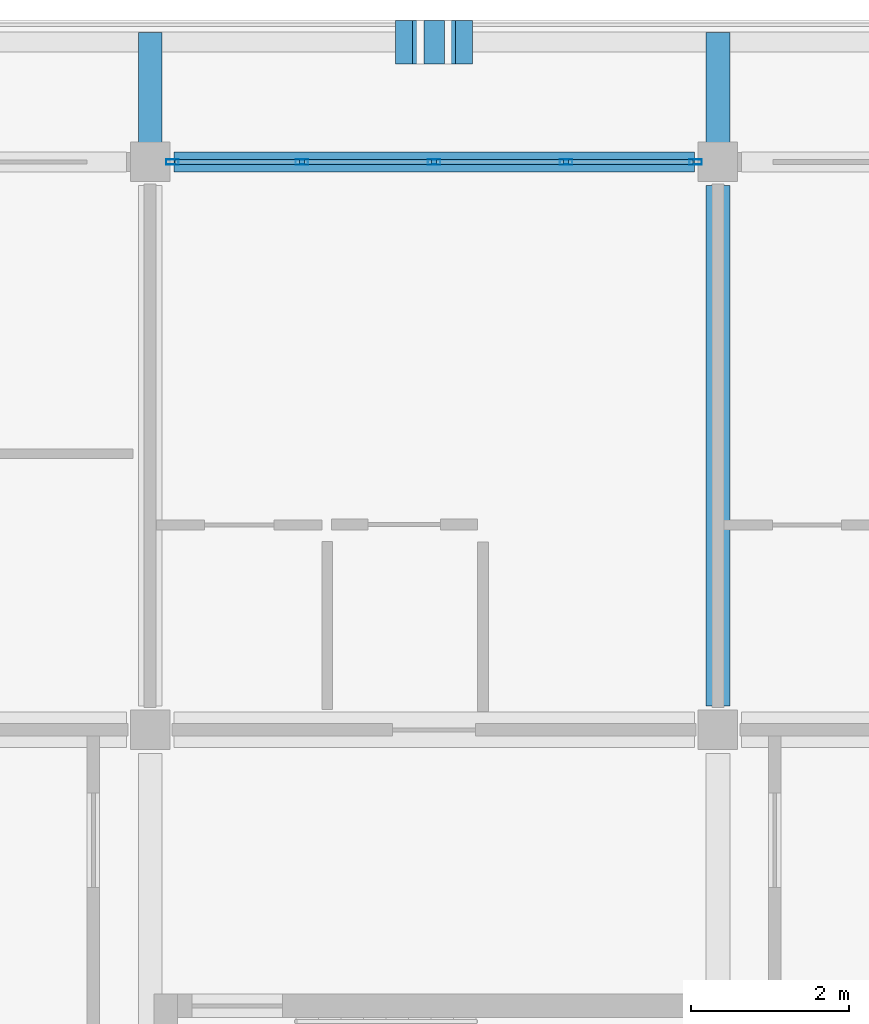
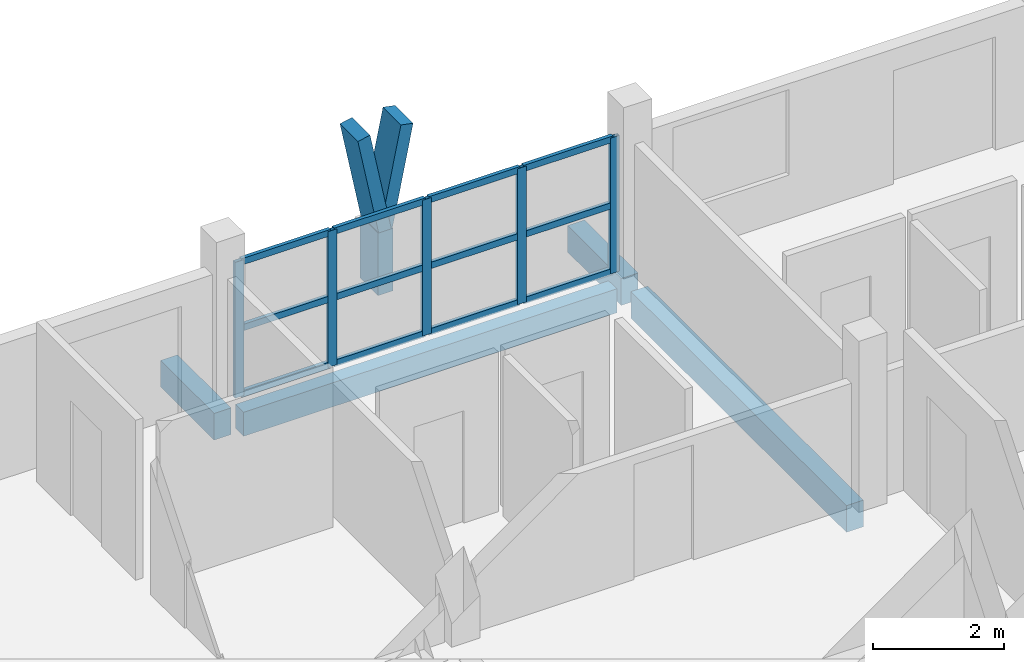
# One storey, part 11 of 45: 20 members, 4 beams, 1 element without a shape of its own.
"""IFC4 building model written with IfcOpenShell, lengths in metres."""

from ifc_helpers import new_model, si_unit, direction, frame, origin, origin_2d, place, context, subcontext, project, spatial, rectangle, hollow_rectangle, extrude, material, material_profile, profile_set, type_object, element, aggregate, save


model = new_model("IFC4")

# Units and contexts
model_context = context("Model", 3, precision=1e-05, world=origin(), true_north=direction((0.0, 1.0)))
body_context = subcontext(model_context, "Body", "Model", "MODEL_VIEW")
ifc_project = project(units=[si_unit("LENGTHUNIT", "METRE"), si_unit("AREAUNIT", "SQUARE_METRE"), si_unit("VOLUMEUNIT", "CUBIC_METRE"), si_unit("PLANEANGLEUNIT", "RADIAN"), si_unit("MASSUNIT", "GRAM", prefix="KILO")], contexts=[model_context])

# Site, building, storey
site_placement = place(None, origin())
site = spatial("IfcSite", under=ifc_project, at=site_placement, CompositionType="ELEMENT")
building_placement = place(site_placement, origin())
building = spatial("IfcBuilding", under=site, at=building_placement, Name="Suanplinth Sawtooth Commons", CompositionType="ELEMENT")
storey_placement = place(building_placement, frame((0.0, 0.0, 38.0)))
storey = spatial("IfcBuildingStorey", under=building, at=storey_placement, Name="L11", CompositionType="ELEMENT", Elevation=38.0)

# Beams
ifc_material_1 = material(Name="Precast concrete C40/50", Category="concrete")
ifc_material_profile_1 = material_profile(ifc_material_1, rectangle(XDim=0.300048828125, YDim=0.5, at=origin_2d()), Name="PC-BM 300x500")
ifc_profile_set_1 = profile_set([ifc_material_profile_1], Name="Precast concrete C40/50")
beam_type_1 = type_object("IfcBeamType", Name="B-07", PredefinedType="BEAM", material=ifc_profile_set_1)
beam_1_placement = place(storey_placement, frame((64.800048828125, 115.5, -0.489990234375), z_axis=(0.0, 1.0, 0.0), x_axis=(-1.0, 0.0, 0.0)))
element("IfcBeam", 1, at=beam_1_placement, inside=storey, type_object=beam_type_1, Name="BMY-L11-A-9-16", PredefinedType="BEAM", context=body_context, shape_type="SweptSolid", body=[
    extrude(rectangle(XDim=0.300048828125, YDim=0.5, at=origin_2d()), origin(), (0.0, 0.0, 1.0), 6.60009765625),
])
for number, where, z_axis, x_axis, name in (
    (2, (57.60009765625, 122.39990234375, -0.429931640625), (0.0, 1.0, 0.0), (-1.0, 0.0, 0.0), "Balcony Outrigger L11-A-N-8"),
    (3, (64.800048828125, 122.39990234375, -0.429931640625), (0.0, 1.0, 0.0), (-1.0, 0.0, 0.0), "Balcony Outrigger L11-A-N-9"),
):
    element("IfcBeam", number, at=place(storey_placement, frame(where, z_axis=z_axis, x_axis=x_axis)), inside=storey, type_object=beam_type_1, Name=name, PredefinedType="BEAM", context=body_context, shape_type="SweptSolid", body=[
        extrude(rectangle(XDim=0.300048828125, YDim=0.5, at=origin_2d()), origin(), (0.0, 0.0, 1.0), 1.64013671875),
    ])
ifc_material_profile_2 = material_profile(ifc_material_1, rectangle(XDim=0.25, YDim=0.449951171875, at=origin_2d()), Name="PC-SP 250x450")
ifc_profile_set_2 = profile_set([ifc_material_profile_2], Name="Precast concrete C40/50")
beam_type_2 = type_object("IfcBeamType", Name="B-09", PredefinedType="SPANDREL", material=ifc_profile_set_2)
beam_2_placement = place(storey_placement, frame((57.89990234375, 122.39990234375, -0.465087890625), z_axis=(1.0, 0.0, 0.0), x_axis=(0.0, 1.0, 0.0)))
element("IfcBeam", 4, at=beam_2_placement, inside=storey, type_object=beam_type_2, Name="BMX-L11-A-8-17", PredefinedType="SPANDREL", context=body_context, shape_type="SweptSolid", body=[
    extrude(rectangle(XDim=0.25, YDim=0.449951171875, at=origin_2d()), origin(), (0.0, 0.0, 1.0), 6.60009765625),
])

# Members
ifc_material_2 = material(Name="Pigmented precast concrete C40/50", Category="concrete")
ifc_material_profile_3 = material_profile(ifc_material_2, rectangle(XDim=0.260009765625, YDim=0.550048828125, at=origin_2d()), Name="PC-FIN 260x550")
ifc_profile_set_3 = profile_set([ifc_material_profile_3], Name="Pigmented precast concrete C40/50")
member_type_1 = type_object("IfcMemberType", Name="M-09", PredefinedType="USERDEFINED", material=ifc_profile_set_3)
member_1_placement = place(storey_placement, frame((61.199951171875, 123.919921875, 0.0), z_axis=(0.0, 0.0, 1.0), x_axis=(1.0, 0.0, 0.0)))
element("IfcMember", 5, at=member_1_placement, inside=storey, type_object=member_type_1, Name="Y-Blade Stem L11-A-N-03", ObjectType="SHADING FIN", PredefinedType="USERDEFINED", context=body_context, shape_type="SweptSolid", body=[
    extrude(rectangle(XDim=0.260009765625, YDim=0.550048828125, at=origin_2d()), origin(), (0.0, 0.0, 1.0), 1.169921875),
])
ifc_material_profile_4 = material_profile(ifc_material_2, rectangle(XDim=0.219970703125, YDim=0.550048828125, at=origin_2d()), Name="PC-FIN 220x550")
ifc_profile_set_4 = profile_set([ifc_material_profile_4], Name="Pigmented precast concrete C40/50")
member_type_2 = type_object("IfcMemberType", Name="M-10", PredefinedType="USERDEFINED", material=ifc_profile_set_4)
member_2_placement = place(storey_placement, frame((61.199951171875, 123.919921875, 1.1298828125), z_axis=(-0.196285728346, 0.0, 0.980546741796), x_axis=(0.980546741796, 0.0, 0.196285728346)))
element("IfcMember", 6, at=member_2_placement, inside=storey, type_object=member_type_2, Name="Y-Blade Arm L L11-A-N-03", ObjectType="SHADING FIN", PredefinedType="USERDEFINED", context=body_context, shape_type="SweptSolid", body=[
    extrude(rectangle(XDim=0.219970703125, YDim=0.550048828125, at=origin_2d()), origin(), (0.0, 0.0, 1.0), 1.937744140625),
])
member_3_placement = place(storey_placement, frame((61.199951171875, 123.919921875, 1.1298828125), z_axis=(0.196406855569, 0.0, 0.980522486782), x_axis=(-0.980522486782, 0.0, 0.196406855569)))
element("IfcMember", 7, at=member_3_placement, inside=storey, type_object=member_type_2, Name="Y-Blade Arm R L11-A-N-03", ObjectType="SHADING FIN", PredefinedType="USERDEFINED", context=body_context, shape_type="SweptSolid", body=[
    extrude(rectangle(XDim=0.219970703125, YDim=0.550048828125, at=origin_2d()), origin(), (0.0, 0.0, 1.0), 1.93798828125),
])

# Curtain wall, members
ifc_material_3 = material(Name="Anodized aluminium and low-E glazing", Category="aluminium")
curtain_wall_type = type_object("IfcCurtainWallType", Name="CW-06", PredefinedType="USERDEFINED", material=ifc_material_3)
curtain_wall_placement = place(storey_placement, origin())
curtain_wall = element("IfcCurtainWall", 8, at=curtain_wall_placement, inside=storey, type_object=curtain_wall_type, Name="Curtain Wall CW-L11-A-LOUNGE-5", ObjectType="CURTAIN WALL", PredefinedType="USERDEFINED")
ifc_material_4 = material(Name="Anodized aluminium 6063-T6", Category="aluminium")
ifc_material_profile_5 = material_profile(ifc_material_4, hollow_rectangle(XDim=0.06494140625, YDim=0.159912109375, WallThickness=0.00390625, at=origin_2d()), Name="ALU-MUL 65x160")
ifc_profile_set_5 = profile_set([ifc_material_profile_5], Name="Anodized aluminium 6063-T6")
member_type_3 = type_object("IfcMemberType", Name="M-13", PredefinedType="MULLION", material=ifc_profile_set_5)
member_4_placement = place(storey_placement, frame((57.882568359375, 122.39990234375, 0.0), z_axis=(0.0, 0.0, 1.0), x_axis=(0.0, 1.0, 0.0)))
member_4 = element("IfcMember", 9, at=member_4_placement, type_object=member_type_3, Name="CW-06 mullion 1", PredefinedType="MULLION", context=body_context, shape_type="SweptSolid", body=[
    extrude(hollow_rectangle(XDim=0.06494140625, YDim=0.159912109375, WallThickness=0.00390625, at=origin_2d()), origin(), (0.0, 0.0, 1.0), 2.5400390625),
])
member_5_placement = place(storey_placement, frame((59.52490234375, 122.39990234375, 0.0), z_axis=(0.0, 0.0, 1.0), x_axis=(0.0, 1.0, 0.0)))
member_5 = element("IfcMember", 10, at=member_5_placement, type_object=member_type_3, Name="CW-06 mullion 2", PredefinedType="MULLION", context=body_context, shape_type="SweptSolid", body=[
    extrude(hollow_rectangle(XDim=0.06494140625, YDim=0.159912109375, WallThickness=0.00390625, at=origin_2d()), origin(), (0.0, 0.0, 1.0), 2.5400390625),
])
member_6_placement = place(storey_placement, frame((61.199951171875, 122.39990234375, 0.0), z_axis=(0.0, 0.0, 1.0), x_axis=(0.0, 1.0, 0.0)))
member_6 = element("IfcMember", 11, at=member_6_placement, type_object=member_type_3, Name="CW-06 mullion 3", PredefinedType="MULLION", context=body_context, shape_type="SweptSolid", body=[
    extrude(hollow_rectangle(XDim=0.06494140625, YDim=0.159912109375, WallThickness=0.00390625, at=origin_2d()), origin(), (0.0, 0.0, 1.0), 2.5400390625),
])
member_7_placement = place(storey_placement, frame((62.875, 122.39990234375, 0.0), z_axis=(0.0, 0.0, 1.0), x_axis=(0.0, 1.0, 0.0)))
member_7 = element("IfcMember", 12, at=member_7_placement, type_object=member_type_3, Name="CW-06 mullion 4", PredefinedType="MULLION", context=body_context, shape_type="SweptSolid", body=[
    extrude(hollow_rectangle(XDim=0.06494140625, YDim=0.159912109375, WallThickness=0.00390625, at=origin_2d()), origin(), (0.0, 0.0, 1.0), 2.5400390625),
])
member_8_placement = place(storey_placement, frame((64.517578125, 122.39990234375, 0.0), z_axis=(0.0, 0.0, 1.0), x_axis=(0.0, 1.0, 0.0)))
member_8 = element("IfcMember", 13, at=member_8_placement, type_object=member_type_3, Name="CW-06 mullion 5", PredefinedType="MULLION", context=body_context, shape_type="SweptSolid", body=[
    extrude(hollow_rectangle(XDim=0.06494140625, YDim=0.159912109375, WallThickness=0.00390625, at=origin_2d()), origin(), (0.0, 0.0, 1.0), 2.5400390625),
])
ifc_material_profile_6 = material_profile(ifc_material_4, hollow_rectangle(XDim=0.06494140625, YDim=0.1201171875, WallThickness=0.00390625, at=origin_2d()), Name="ALU-TRN 65x120")
ifc_profile_set_6 = profile_set([ifc_material_profile_6], Name="Anodized aluminium 6063-T6")
member_type_4 = type_object("IfcMemberType", Name="M-15", PredefinedType="USERDEFINED", material=ifc_profile_set_6)
member_9_placement = place(storey_placement, frame((57.9150390625, 122.39990234375, 0.032470703125), z_axis=(1.0, 0.0, 0.0), x_axis=(0.0, 1.0, 0.0)))
member_9 = element("IfcMember", 14, at=member_9_placement, type_object=member_type_4, Name="CW-06 transom 1.1", ObjectType="TRANSOM", PredefinedType="USERDEFINED", context=body_context, shape_type="SweptSolid", body=[
    extrude(hollow_rectangle(XDim=0.06494140625, YDim=0.1201171875, WallThickness=0.00390625, at=origin_2d()), origin(), (0.0, 0.0, 1.0), 1.577392578125),
])
member_10_placement = place(storey_placement, frame((57.9150390625, 122.39990234375, 1.27001953125), z_axis=(1.0, 0.0, 0.0), x_axis=(0.0, 1.0, 0.0)))
member_10 = element("IfcMember", 15, at=member_10_placement, type_object=member_type_4, Name="CW-06 transom 1.2", ObjectType="TRANSOM", PredefinedType="USERDEFINED", context=body_context, shape_type="SweptSolid", body=[
    extrude(hollow_rectangle(XDim=0.06494140625, YDim=0.1201171875, WallThickness=0.00390625, at=origin_2d()), origin(), (0.0, 0.0, 1.0), 1.577392578125),
])
member_11_placement = place(storey_placement, frame((57.9150390625, 122.39990234375, 2.507568359375), z_axis=(1.0, 0.0, 0.0), x_axis=(0.0, 1.0, 0.0)))
member_11 = element("IfcMember", 16, at=member_11_placement, type_object=member_type_4, Name="CW-06 transom 1.3", ObjectType="TRANSOM", PredefinedType="USERDEFINED", context=body_context, shape_type="SweptSolid", body=[
    extrude(hollow_rectangle(XDim=0.06494140625, YDim=0.1201171875, WallThickness=0.00390625, at=origin_2d()), origin(), (0.0, 0.0, 1.0), 1.577392578125),
])
member_12_placement = place(storey_placement, frame((59.5576171875, 122.39990234375, 0.032470703125), z_axis=(1.0, 0.0, 0.0), x_axis=(0.0, 1.0, 0.0)))
member_12 = element("IfcMember", 17, at=member_12_placement, type_object=member_type_4, Name="CW-06 transom 2.1", ObjectType="TRANSOM", PredefinedType="USERDEFINED", context=body_context, shape_type="SweptSolid", body=[
    extrude(hollow_rectangle(XDim=0.06494140625, YDim=0.1201171875, WallThickness=0.00390625, at=origin_2d()), origin(), (0.0, 0.0, 1.0), 1.60986328125),
])
member_13_placement = place(storey_placement, frame((59.5576171875, 122.39990234375, 1.27001953125), z_axis=(1.0, 0.0, 0.0), x_axis=(0.0, 1.0, 0.0)))
member_13 = element("IfcMember", 18, at=member_13_placement, type_object=member_type_4, Name="CW-06 transom 2.2", ObjectType="TRANSOM", PredefinedType="USERDEFINED", context=body_context, shape_type="SweptSolid", body=[
    extrude(hollow_rectangle(XDim=0.06494140625, YDim=0.1201171875, WallThickness=0.00390625, at=origin_2d()), origin(), (0.0, 0.0, 1.0), 1.60986328125),
])
member_14_placement = place(storey_placement, frame((59.5576171875, 122.39990234375, 2.507568359375), z_axis=(1.0, 0.0, 0.0), x_axis=(0.0, 1.0, 0.0)))
member_14 = element("IfcMember", 19, at=member_14_placement, type_object=member_type_4, Name="CW-06 transom 2.3", ObjectType="TRANSOM", PredefinedType="USERDEFINED", context=body_context, shape_type="SweptSolid", body=[
    extrude(hollow_rectangle(XDim=0.06494140625, YDim=0.1201171875, WallThickness=0.00390625, at=origin_2d()), origin(), (0.0, 0.0, 1.0), 1.60986328125),
])
member_15_placement = place(storey_placement, frame((61.232421875, 122.39990234375, 0.032470703125), z_axis=(1.0, 0.0, 0.0), x_axis=(0.0, 1.0, 0.0)))
member_15 = element("IfcMember", 20, at=member_15_placement, type_object=member_type_4, Name="CW-06 transom 3.1", ObjectType="TRANSOM", PredefinedType="USERDEFINED", context=body_context, shape_type="SweptSolid", body=[
    extrude(hollow_rectangle(XDim=0.06494140625, YDim=0.1201171875, WallThickness=0.00390625, at=origin_2d()), origin(), (0.0, 0.0, 1.0), 1.610107421875),
])
member_16_placement = place(storey_placement, frame((61.232421875, 122.39990234375, 1.27001953125), z_axis=(1.0, 0.0, 0.0), x_axis=(0.0, 1.0, 0.0)))
member_16 = element("IfcMember", 21, at=member_16_placement, type_object=member_type_4, Name="CW-06 transom 3.2", ObjectType="TRANSOM", PredefinedType="USERDEFINED", context=body_context, shape_type="SweptSolid", body=[
    extrude(hollow_rectangle(XDim=0.06494140625, YDim=0.1201171875, WallThickness=0.00390625, at=origin_2d()), origin(), (0.0, 0.0, 1.0), 1.610107421875),
])
member_17_placement = place(storey_placement, frame((61.232421875, 122.39990234375, 2.507568359375), z_axis=(1.0, 0.0, 0.0), x_axis=(0.0, 1.0, 0.0)))
member_17 = element("IfcMember", 22, at=member_17_placement, type_object=member_type_4, Name="CW-06 transom 3.3", ObjectType="TRANSOM", PredefinedType="USERDEFINED", context=body_context, shape_type="SweptSolid", body=[
    extrude(hollow_rectangle(XDim=0.06494140625, YDim=0.1201171875, WallThickness=0.00390625, at=origin_2d()), origin(), (0.0, 0.0, 1.0), 1.610107421875),
])
member_18_placement = place(storey_placement, frame((62.907470703125, 122.39990234375, 0.032470703125), z_axis=(1.0, 0.0, 0.0), x_axis=(0.0, 1.0, 0.0)))
member_18 = element("IfcMember", 23, at=member_18_placement, type_object=member_type_4, Name="CW-06 transom 4.1", ObjectType="TRANSOM", PredefinedType="USERDEFINED", context=body_context, shape_type="SweptSolid", body=[
    extrude(hollow_rectangle(XDim=0.06494140625, YDim=0.1201171875, WallThickness=0.00390625, at=origin_2d()), origin(), (0.0, 0.0, 1.0), 1.57763671875),
])
member_19_placement = place(storey_placement, frame((62.907470703125, 122.39990234375, 1.27001953125), z_axis=(1.0, 0.0, 0.0), x_axis=(0.0, 1.0, 0.0)))
member_19 = element("IfcMember", 24, at=member_19_placement, type_object=member_type_4, Name="CW-06 transom 4.2", ObjectType="TRANSOM", PredefinedType="USERDEFINED", context=body_context, shape_type="SweptSolid", body=[
    extrude(hollow_rectangle(XDim=0.06494140625, YDim=0.1201171875, WallThickness=0.00390625, at=origin_2d()), origin(), (0.0, 0.0, 1.0), 1.57763671875),
])
member_20_placement = place(storey_placement, frame((62.907470703125, 122.39990234375, 2.507568359375), z_axis=(1.0, 0.0, 0.0), x_axis=(0.0, 1.0, 0.0)))
member_20 = element("IfcMember", 25, at=member_20_placement, type_object=member_type_4, Name="CW-06 transom 4.3", ObjectType="TRANSOM", PredefinedType="USERDEFINED", context=body_context, shape_type="SweptSolid", body=[
    extrude(hollow_rectangle(XDim=0.06494140625, YDim=0.1201171875, WallThickness=0.00390625, at=origin_2d()), origin(), (0.0, 0.0, 1.0), 1.57763671875),
])
aggregate(curtain_wall, [member_4, member_5, member_6, member_7, member_8, member_9, member_10, member_11, member_12, member_13, member_14, member_15, member_16, member_17, member_18, member_19, member_20])

save(model, "model.ifc")
